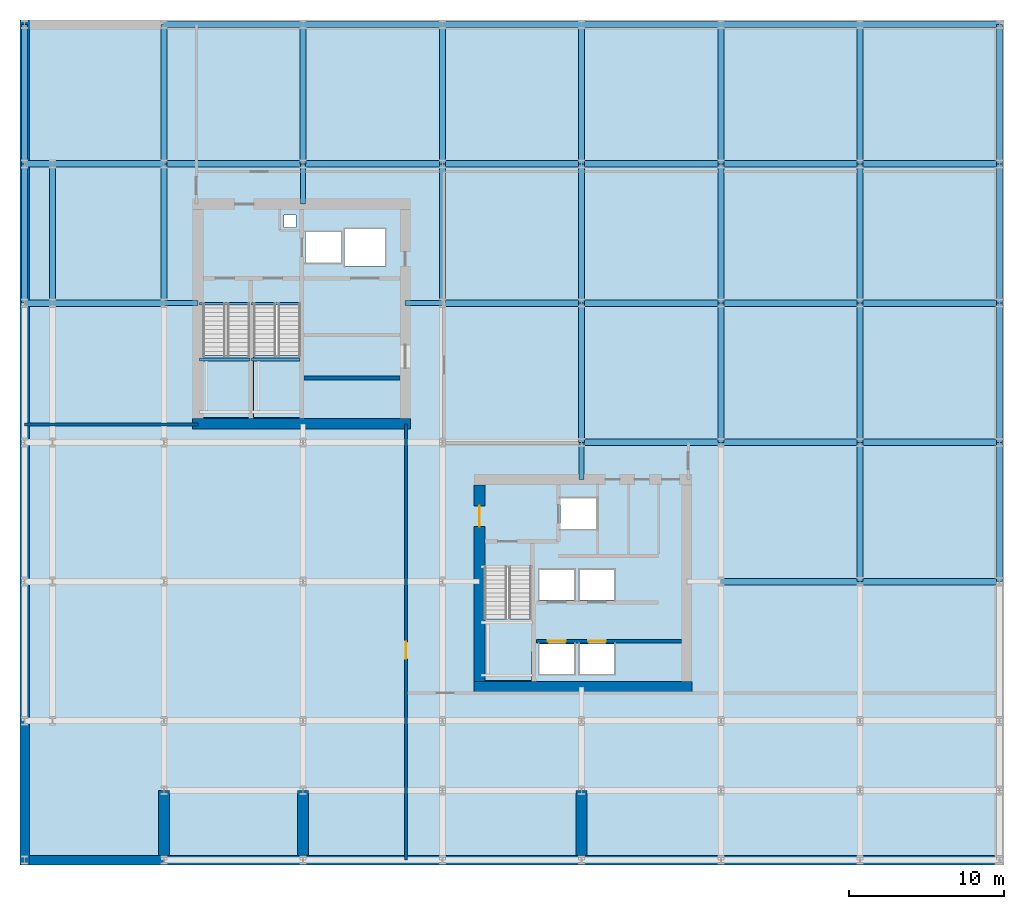
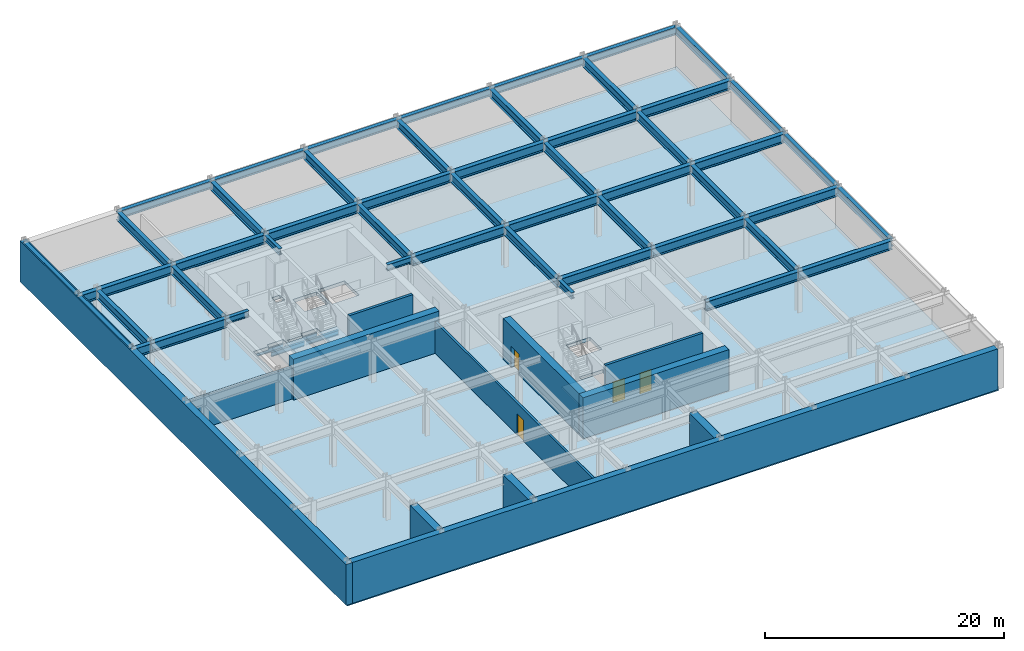
# One storey, part 2 of 6: 55 beams, 12 walls, 4 doors, 4 slabs, 4 openings, 3 elements without a shape of their own.
"""IFC4 building model written with IfcOpenShell, lengths in metres."""

from ifc_helpers import new_model, si_unit, direction, frame, frame_2d, origin, origin_2d, place, context, subcontext, project, spatial, polyline, rectangle, i_section, outline, extrude, material, layer, layer_set, material_profile, profile_set, type_object, element, fill, aggregate, save


model = new_model("IFC4")

# Units and contexts
model_context = context("Model", 3, precision=1e-05, world=origin(), true_north=direction((0.0, 1.0)))
body_context = subcontext(model_context, "Body", "Model", "MODEL_VIEW")
ifc_project = project(units=[si_unit("LENGTHUNIT", "METRE"), si_unit("AREAUNIT", "SQUARE_METRE"), si_unit("VOLUMEUNIT", "CUBIC_METRE"), si_unit("PLANEANGLEUNIT", "RADIAN"), si_unit("MASSUNIT", "GRAM", prefix="KILO")], contexts=[model_context])

# Site, building, storey
site_placement = place(None, origin())
site = spatial("IfcSite", under=ifc_project, at=site_placement, CompositionType="ELEMENT")
building_placement = place(site_placement, origin())
building = spatial("IfcBuilding", under=site, at=building_placement, Name="Solvaryn Broadcast Tower", CompositionType="ELEMENT")
storey_placement = place(building_placement, frame((0.0, 0.0, -4.5)))
storey = spatial("IfcBuildingStorey", under=building, at=storey_placement, Name="B01", CompositionType="ELEMENT", Elevation=-4.5)

# Beams
ifc_material_1 = material(Name="Steel ASTM A992 Grade 50", Category="steel")
ifc_material_profile_1 = material_profile(ifc_material_1, i_section(OverallWidth=0.323974609375, OverallDepth=0.611083984375, WebThickness=0.0126953125, FlangeThickness=0.01904296875, FilletRadius=0.014892578125, at=origin_2d()))
ifc_profile_set_1 = profile_set([ifc_material_profile_1], Name="Steel ASTM A992 Grade 50")
beam_type_1 = type_object("IfcBeamType", Name="BM-B1-W24X104", PredefinedType="BEAM", material=ifc_profile_set_1)
beam_1_placement = place(storey_placement, frame((9.0, 36.0, 3.87451171875), z_axis=(1.0, 0.0, 0.0), x_axis=(0.0, 1.0, 0.0)))
element("IfcBeam", 1, at=beam_1_placement, inside=storey, type_object=beam_type_1, Name="B01 Core Tie Beam CTW1", PredefinedType="BEAM", context=body_context, shape_type="SweptSolid", body=[
    extrude(i_section(OverallWidth=0.323974609375, OverallDepth=0.611083984375, WebThickness=0.0126953125, FlangeThickness=0.01904296875, FilletRadius=0.014892578125, at=origin_2d()), origin(), (0.0, 0.0, 1.0), 2.199951171875),
])
beam_2_placement = place(storey_placement, frame((24.60009765625, 36.0, 3.87451171875), z_axis=(1.0, 0.0, 0.0), x_axis=(0.0, 1.0, 0.0)))
element("IfcBeam", 2, at=beam_2_placement, inside=storey, type_object=beam_type_1, Name="B01 Core Tie Beam CTW2", PredefinedType="BEAM", context=body_context, shape_type="SweptSolid", body=[
    extrude(i_section(OverallWidth=0.323974609375, OverallDepth=0.611083984375, WebThickness=0.0126953125, FlangeThickness=0.01904296875, FilletRadius=0.014892578125, at=origin_2d()), origin(), (0.0, 0.0, 1.0), 2.39990234375),
])
beam_3_placement = place(storey_placement, frame((18.0, 42.39990234375, 3.87451171875), z_axis=(0.0, 1.0, 0.0), x_axis=(-1.0, 0.0, 0.0)))
element("IfcBeam", 3, at=beam_3_placement, inside=storey, type_object=beam_type_1, Name="B01 Core Tie Beam CTW3", PredefinedType="BEAM", context=body_context, shape_type="SweptSolid", body=[
    extrude(i_section(OverallWidth=0.323974609375, OverallDepth=0.611083984375, WebThickness=0.0126953125, FlangeThickness=0.01904296875, FilletRadius=0.014892578125, at=origin_2d()), origin(), (0.0, 0.0, 1.0), 2.60009765625),
])
beam_4_placement = place(storey_placement, frame((36.0, 24.60009765625, 3.87451171875), z_axis=(0.0, 1.0, 0.0), x_axis=(-1.0, 0.0, 0.0)))
element("IfcBeam", 4, at=beam_4_placement, inside=storey, type_object=beam_type_1, Name="B01 Core Tie Beam CTE2", PredefinedType="BEAM", context=body_context, shape_type="SweptSolid", body=[
    extrude(i_section(OverallWidth=0.323974609375, OverallDepth=0.611083984375, WebThickness=0.0126953125, FlangeThickness=0.01904296875, FilletRadius=0.014892578125, at=origin_2d()), origin(), (0.0, 0.0, 1.0), 2.39990234375),
])
ifc_material_2 = material(Name="Steel ASTM A992 Grade 50", Category="steel")
ifc_material_profile_2 = material_profile(ifc_material_2, i_section(OverallWidth=0.18994140625, OverallDepth=0.45703125, WebThickness=0.009033203125, FlangeThickness=0.014404296875, FilletRadius=0.011962890625, at=origin_2d()))
ifc_profile_set_2 = profile_set([ifc_material_profile_2], Name="Steel ASTM A992 Grade 50")
beam_type_2 = type_object("IfcBeamType", Name="BM-B4-W18X50", PredefinedType="BEAM", material=ifc_profile_set_2)
for number, where, z_axis, x_axis, name in (
    (5, (11.300048828125, 35.9599609375, -0.57861328125), (1.0, 0.0, 0.0), (0.0, 1.0, 0.0), "B01 ST1 Stair Well Trimmer Beam"),
    (6, (11.300048828125, 32.35009765625, 1.821533203125), (1.0, 0.0, 0.0), (0.0, 1.0, 0.0), "B01 ST1 Landing Support Beam 1B"),
):
    element("IfcBeam", number, at=place(storey_placement, frame(where, z_axis=z_axis, x_axis=x_axis)), inside=storey, type_object=beam_type_2, Name=name, PredefinedType="BEAM", context=body_context, shape_type="SweptSolid", body=[
        extrude(i_section(OverallWidth=0.18994140625, OverallDepth=0.45703125, WebThickness=0.009033203125, FlangeThickness=0.014404296875, FilletRadius=0.011962890625, at=origin_2d()), origin(), (0.0, 0.0, 1.0), 3.280029296875),
    ])
for number, where, z_axis, x_axis, name in (
    (7, (14.659912109375, 35.9599609375, -0.57861328125), (1.0, 0.0, 0.0), (0.0, 1.0, 0.0), "B01 ST2 Stair Well Trimmer Beam"),
    (8, (14.659912109375, 32.35009765625, 1.821533203125), (1.0, 0.0, 0.0), (0.0, 1.0, 0.0), "B01 ST2 Landing Support Beam 1B"),
):
    element("IfcBeam", number, at=place(storey_placement, frame(where, z_axis=z_axis, x_axis=x_axis)), inside=storey, type_object=beam_type_2, Name=name, PredefinedType="BEAM", context=body_context, shape_type="SweptSolid", body=[
        extrude(i_section(OverallWidth=0.18994140625, OverallDepth=0.45703125, WebThickness=0.009033203125, FlangeThickness=0.014404296875, FilletRadius=0.011962890625, at=origin_2d()), origin(), (0.0, 0.0, 1.0), 3.14013671875),
    ])
ifc_material_3 = material(Name="Steel ASTM A992 Grade 50", Category="steel")
ifc_material_profile_3 = material_profile(ifc_material_3, i_section(OverallWidth=0.41796875, OverallDepth=0.927001953125, WebThickness=0.019287109375, FlangeThickness=0.031982421875, FilletRadius=0.02392578125, at=origin_2d()))
ifc_profile_set_3 = profile_set([ifc_material_profile_3], Name="Steel ASTM A992 Grade 50")
beam_type_3 = type_object("IfcBeamType", Name="BM-G2-W36X231", PredefinedType="BEAM", material=ifc_profile_set_3)
for number, where, z_axis, x_axis, name in (
    (9, (45.0, 18.0, 3.716552734375), (1.0, 0.0, 0.0), (0.0, 1.0, 0.0), "B01 Primary Beam X (45-54 @ Y=18)"),
    (10, (54.0, 18.0, 3.716552734375), (1.0, 0.0, 0.0), (0.0, 1.0, 0.0), "B01 Primary Beam X (54-63 @ Y=18)"),
    (11, (36.0, 27.0, 3.716552734375), (1.0, 0.0, 0.0), (0.0, 1.0, 0.0), "B01 Primary Beam X (36-45 @ Y=27)"),
    (12, (45.0, 27.0, 3.716552734375), (1.0, 0.0, 0.0), (0.0, 1.0, 0.0), "B01 Primary Beam X (45-54 @ Y=27)"),
    (13, (54.0, 27.0, 3.716552734375), (1.0, 0.0, 0.0), (0.0, 1.0, 0.0), "B01 Primary Beam X (54-63 @ Y=27)"),
):
    element("IfcBeam", number, at=place(storey_placement, frame(where, z_axis=z_axis, x_axis=x_axis)), inside=storey, type_object=beam_type_3, Name=name, PredefinedType="BEAM", context=body_context, shape_type="SweptSolid", body=[
        extrude(i_section(OverallWidth=0.41796875, OverallDepth=0.927001953125, WebThickness=0.019287109375, FlangeThickness=0.031982421875, FilletRadius=0.02392578125, at=origin_2d()), origin(), (0.0, 0.0, 1.0), 9.0),
    ])
beam_5_placement = place(storey_placement, frame((0.0, 36.0, 3.716552734375), z_axis=(1.0, 0.0, 0.0), x_axis=(0.0, 1.0, 0.0)))
element("IfcBeam", 14, at=beam_5_placement, inside=storey, type_object=beam_type_3, Name="B01 Primary Beam X (0-2 @ Y=36)", PredefinedType="BEAM", context=body_context, shape_type="SweptSolid", body=[
    extrude(i_section(OverallWidth=0.41796875, OverallDepth=0.927001953125, WebThickness=0.019287109375, FlangeThickness=0.031982421875, FilletRadius=0.02392578125, at=origin_2d()), origin(), (0.0, 0.0, 1.0), 1.800048828125),
])
beam_6_placement = place(storey_placement, frame((1.800048828125, 36.0, 3.716552734375), z_axis=(1.0, 0.0, 0.0), x_axis=(0.0, 1.0, 0.0)))
element("IfcBeam", 15, at=beam_6_placement, inside=storey, type_object=beam_type_3, Name="B01 Primary Beam X (2-9 @ Y=36)", PredefinedType="BEAM", context=body_context, shape_type="SweptSolid", body=[
    extrude(i_section(OverallWidth=0.41796875, OverallDepth=0.927001953125, WebThickness=0.019287109375, FlangeThickness=0.031982421875, FilletRadius=0.02392578125, at=origin_2d()), origin(), (0.0, 0.0, 1.0), 7.199951171875),
])
for number, where, z_axis, x_axis, name in (
    (16, (27.0, 36.0, 3.716552734375), (1.0, 0.0, 0.0), (0.0, 1.0, 0.0), "B01 Primary Beam X (27-36 @ Y=36)"),
    (17, (36.0, 36.0, 3.716552734375), (1.0, 0.0, 0.0), (0.0, 1.0, 0.0), "B01 Primary Beam X (36-45 @ Y=36)"),
    (18, (45.0, 36.0, 3.716552734375), (1.0, 0.0, 0.0), (0.0, 1.0, 0.0), "B01 Primary Beam X (45-54 @ Y=36)"),
    (19, (54.0, 36.0, 3.716552734375), (1.0, 0.0, 0.0), (0.0, 1.0, 0.0), "B01 Primary Beam X (54-63 @ Y=36)"),
):
    element("IfcBeam", number, at=place(storey_placement, frame(where, z_axis=z_axis, x_axis=x_axis)), inside=storey, type_object=beam_type_3, Name=name, PredefinedType="BEAM", context=body_context, shape_type="SweptSolid", body=[
        extrude(i_section(OverallWidth=0.41796875, OverallDepth=0.927001953125, WebThickness=0.019287109375, FlangeThickness=0.031982421875, FilletRadius=0.02392578125, at=origin_2d()), origin(), (0.0, 0.0, 1.0), 9.0),
    ])
beam_7_placement = place(storey_placement, frame((0.0, 45.0, 3.716552734375), z_axis=(1.0, 0.0, 0.0), x_axis=(0.0, 1.0, 0.0)))
element("IfcBeam", 20, at=beam_7_placement, inside=storey, type_object=beam_type_3, Name="B01 Primary Beam X (0-2 @ Y=45)", PredefinedType="BEAM", context=body_context, shape_type="SweptSolid", body=[
    extrude(i_section(OverallWidth=0.41796875, OverallDepth=0.927001953125, WebThickness=0.019287109375, FlangeThickness=0.031982421875, FilletRadius=0.02392578125, at=origin_2d()), origin(), (0.0, 0.0, 1.0), 1.800048828125),
])
beam_8_placement = place(storey_placement, frame((1.800048828125, 45.0, 3.716552734375), z_axis=(1.0, 0.0, 0.0), x_axis=(0.0, 1.0, 0.0)))
element("IfcBeam", 21, at=beam_8_placement, inside=storey, type_object=beam_type_3, Name="B01 Primary Beam X (2-9 @ Y=45)", PredefinedType="BEAM", context=body_context, shape_type="SweptSolid", body=[
    extrude(i_section(OverallWidth=0.41796875, OverallDepth=0.927001953125, WebThickness=0.019287109375, FlangeThickness=0.031982421875, FilletRadius=0.02392578125, at=origin_2d()), origin(), (0.0, 0.0, 1.0), 7.199951171875),
])
for number, where, z_axis, x_axis, name in (
    (22, (9.0, 45.0, 3.716552734375), (1.0, 0.0, 0.0), (0.0, 1.0, 0.0), "B01 Primary Beam X (9-18 @ Y=45)"),
    (23, (18.0, 45.0, 3.716552734375), (1.0, 0.0, 0.0), (0.0, 1.0, 0.0), "B01 Primary Beam X (18-27 @ Y=45)"),
    (24, (27.0, 45.0, 3.716552734375), (1.0, 0.0, 0.0), (0.0, 1.0, 0.0), "B01 Primary Beam X (27-36 @ Y=45)"),
    (25, (36.0, 45.0, 3.716552734375), (1.0, 0.0, 0.0), (0.0, 1.0, 0.0), "B01 Primary Beam X (36-45 @ Y=45)"),
    (26, (45.0, 45.0, 3.716552734375), (1.0, 0.0, 0.0), (0.0, 1.0, 0.0), "B01 Primary Beam X (45-54 @ Y=45)"),
    (27, (54.0, 45.0, 3.716552734375), (1.0, 0.0, 0.0), (0.0, 1.0, 0.0), "B01 Primary Beam X (54-63 @ Y=45)"),
):
    element("IfcBeam", number, at=place(storey_placement, frame(where, z_axis=z_axis, x_axis=x_axis)), inside=storey, type_object=beam_type_3, Name=name, PredefinedType="BEAM", context=body_context, shape_type="SweptSolid", body=[
        extrude(i_section(OverallWidth=0.41796875, OverallDepth=0.927001953125, WebThickness=0.019287109375, FlangeThickness=0.031982421875, FilletRadius=0.02392578125, at=origin_2d()), origin(), (0.0, 0.0, 1.0), 9.0),
    ])
ifc_material_4 = material(Name="Steel ASTM A992 Grade 50", Category="steel")
ifc_material_profile_4 = material_profile(ifc_material_4, i_section(OverallWidth=0.39990234375, OverallDepth=0.85498046875, WebThickness=0.018310546875, FlangeThickness=0.029296875, FilletRadius=0.02001953125, at=origin_2d()))
ifc_profile_set_4 = profile_set([ifc_material_profile_4], Name="Steel ASTM A992 Grade 50")
beam_type_4 = type_object("IfcBeamType", Name="BM-G3-W33X201", PredefinedType="BEAM", material=ifc_profile_set_4)
for number, where, z_axis, x_axis, name in (
    (28, (1.800048828125, 36.0, 3.75244140625), (0.0, 1.0, 0.0), (-1.0, 0.0, 0.0), "B01 Primary Beam Y (36-45 @ X=2)"),
    (29, (9.0, 36.0, 3.75244140625), (0.0, 1.0, 0.0), (-1.0, 0.0, 0.0), "B01 Primary Beam Y (36-45 @ X=9)"),
    (30, (9.0, 45.0, 3.75244140625), (0.0, 1.0, 0.0), (-1.0, 0.0, 0.0), "B01 Primary Beam Y (45-54 @ X=9)"),
    (31, (18.0, 45.0, 3.75244140625), (0.0, 1.0, 0.0), (-1.0, 0.0, 0.0), "B01 Primary Beam Y (45-54 @ X=18)"),
    (32, (27.0, 36.0, 3.75244140625), (0.0, 1.0, 0.0), (-1.0, 0.0, 0.0), "B01 Primary Beam Y (36-45 @ X=27)"),
    (33, (27.0, 45.0, 3.75244140625), (0.0, 1.0, 0.0), (-1.0, 0.0, 0.0), "B01 Primary Beam Y (45-54 @ X=27)"),
    (34, (36.0, 27.0, 3.75244140625), (0.0, 1.0, 0.0), (-1.0, 0.0, 0.0), "B01 Primary Beam Y (27-36 @ X=36)"),
    (35, (36.0, 36.0, 3.75244140625), (0.0, 1.0, 0.0), (-1.0, 0.0, 0.0), "B01 Primary Beam Y (36-45 @ X=36)"),
    (36, (36.0, 45.0, 3.75244140625), (0.0, 1.0, 0.0), (-1.0, 0.0, 0.0), "B01 Primary Beam Y (45-54 @ X=36)"),
    (37, (45.0, 27.0, 3.75244140625), (0.0, 1.0, 0.0), (-1.0, 0.0, 0.0), "B01 Primary Beam Y (27-36 @ X=45)"),
    (38, (45.0, 36.0, 3.75244140625), (0.0, 1.0, 0.0), (-1.0, 0.0, 0.0), "B01 Primary Beam Y (36-45 @ X=45)"),
    (39, (45.0, 45.0, 3.75244140625), (0.0, 1.0, 0.0), (-1.0, 0.0, 0.0), "B01 Primary Beam Y (45-54 @ X=45)"),
    (40, (54.0, 18.0, 3.75244140625), (0.0, 1.0, 0.0), (-1.0, 0.0, 0.0), "B01 Primary Beam Y (18-27 @ X=54)"),
    (41, (54.0, 27.0, 3.75244140625), (0.0, 1.0, 0.0), (-1.0, 0.0, 0.0), "B01 Primary Beam Y (27-36 @ X=54)"),
    (42, (54.0, 36.0, 3.75244140625), (0.0, 1.0, 0.0), (-1.0, 0.0, 0.0), "B01 Primary Beam Y (36-45 @ X=54)"),
    (43, (54.0, 45.0, 3.75244140625), (0.0, 1.0, 0.0), (-1.0, 0.0, 0.0), "B01 Primary Beam Y (45-54 @ X=54)"),
):
    element("IfcBeam", number, at=place(storey_placement, frame(where, z_axis=z_axis, x_axis=x_axis)), inside=storey, type_object=beam_type_4, Name=name, PredefinedType="BEAM", context=body_context, shape_type="SweptSolid", body=[
        extrude(i_section(OverallWidth=0.39990234375, OverallDepth=0.85498046875, WebThickness=0.018310546875, FlangeThickness=0.029296875, FilletRadius=0.02001953125, at=origin_2d()), origin(), (0.0, 0.0, 1.0), 9.0),
    ])
ifc_material_5 = material(Name="Steel ASTM A992 Grade 50", Category="steel")
ifc_material_profile_5 = material_profile(ifc_material_5, i_section(OverallWidth=0.381103515625, OverallDepth=0.77294921875, WebThickness=0.0166015625, FlangeThickness=0.027099609375, FilletRadius=0.01806640625, at=origin_2d()))
ifc_profile_set_5 = profile_set([ifc_material_profile_5], Name="Steel ASTM A992 Grade 50")
beam_type_5 = type_object("IfcBeamType", Name="BM-SP1-W30X173", PredefinedType="USERDEFINED", material=ifc_profile_set_5)
for number, where, z_axis, x_axis, name in (
    (44, (9.0, 54.0, 3.79345703125), (1.0, 0.0, 0.0), (0.0, 1.0, 0.0), "B01 Spandrel Beam X (9-18 @ Y=54)"),
    (45, (18.0, 54.0, 3.79345703125), (1.0, 0.0, 0.0), (0.0, 1.0, 0.0), "B01 Spandrel Beam X (18-27 @ Y=54)"),
    (46, (27.0, 54.0, 3.79345703125), (1.0, 0.0, 0.0), (0.0, 1.0, 0.0), "B01 Spandrel Beam X (27-36 @ Y=54)"),
    (47, (36.0, 54.0, 3.79345703125), (1.0, 0.0, 0.0), (0.0, 1.0, 0.0), "B01 Spandrel Beam X (36-45 @ Y=54)"),
    (48, (45.0, 54.0, 3.79345703125), (1.0, 0.0, 0.0), (0.0, 1.0, 0.0), "B01 Spandrel Beam X (45-54 @ Y=54)"),
    (49, (54.0, 54.0, 3.79345703125), (1.0, 0.0, 0.0), (0.0, 1.0, 0.0), "B01 Spandrel Beam X (54-63 @ Y=54)"),
    (50, (0.0, 36.0, 3.79345703125), (0.0, 1.0, 0.0), (-1.0, 0.0, 0.0), "B01 Spandrel Beam Y (36-45 @ X=0)"),
    (51, (0.0, 45.0, 3.79345703125), (0.0, 1.0, 0.0), (-1.0, 0.0, 0.0), "B01 Spandrel Beam Y (45-54 @ X=0)"),
    (52, (63.0, 18.0, 3.79345703125), (0.0, 1.0, 0.0), (-1.0, 0.0, 0.0), "B01 Spandrel Beam Y (18-27 @ X=63)"),
    (53, (63.0, 27.0, 3.79345703125), (0.0, 1.0, 0.0), (-1.0, 0.0, 0.0), "B01 Spandrel Beam Y (27-36 @ X=63)"),
    (54, (63.0, 36.0, 3.79345703125), (0.0, 1.0, 0.0), (-1.0, 0.0, 0.0), "B01 Spandrel Beam Y (36-45 @ X=63)"),
    (55, (63.0, 45.0, 3.79345703125), (0.0, 1.0, 0.0), (-1.0, 0.0, 0.0), "B01 Spandrel Beam Y (45-54 @ X=63)"),
):
    element("IfcBeam", number, at=place(storey_placement, frame(where, z_axis=z_axis, x_axis=x_axis)), inside=storey, type_object=beam_type_5, Name=name, ObjectType="SPANDREL", PredefinedType="USERDEFINED", context=body_context, shape_type="SweptSolid", body=[
        extrude(i_section(OverallWidth=0.381103515625, OverallDepth=0.77294921875, WebThickness=0.0166015625, FlangeThickness=0.027099609375, FilletRadius=0.01806640625, at=origin_2d()), origin(), (0.0, 0.0, 1.0), 9.0),
    ])

# Slab
ifc_material_6 = material(Name="Concrete f'c 60 MPa", Category="concrete")
ifc_layer_1 = layer(ifc_material_6, 0.35009765625)
ifc_layer_set_1 = layer_set([ifc_layer_1], Name="SL-BSMT-350")
slab_type_1 = type_object("IfcSlabType", Name="SL-BSMT-350", PredefinedType="FLOOR", material=ifc_layer_set_1)
slab_1_placement = place(storey_placement, frame((0.0, 0.0, -0.35009765625)))
element("IfcSlab", 56, at=slab_1_placement, inside=storey, type_object=slab_type_1, Name="B01 Structural Floor Slab", PredefinedType="FLOOR", context=body_context, shape_type="SweptSolid", body=[
    extrude(outline(polyline([(0.0, 0.0), (63.0, 0.0), (63.0, 54.0), (0.0, 54.0), (0.0, 0.0)]), holes=[polyline([(11.52001953125, 28.60009765625), (14.550048828125, 28.60009765625), (14.550048828125, 35.9599609375), (12.97998046875, 35.9599609375), (12.97998046875, 35.679931640625), (11.52001953125, 35.679931640625), (11.52001953125, 28.60009765625)]), polyline([(14.800048828125, 28.60009765625), (17.830078125, 28.60009765625), (17.830078125, 35.9599609375), (16.260009765625, 35.9599609375), (16.260009765625, 35.679931640625), (14.800048828125, 35.679931640625), (14.800048828125, 28.60009765625)]), polyline([(29.719970703125, 11.60009765625), (32.75, 11.60009765625), (32.75, 18.9599609375), (31.179931640625, 18.9599609375), (31.179931640625, 18.679931640625), (29.719970703125, 18.679931640625), (29.719970703125, 11.60009765625)]), polyline([(18.14990234375, 38.60009765625), (20.449951171875, 38.60009765625), (20.449951171875, 40.60009765625), (18.14990234375, 40.60009765625), (18.14990234375, 38.60009765625)]), polyline([(20.699951171875, 38.39990234375), (23.300048828125, 38.39990234375), (23.300048828125, 40.800048828125), (20.699951171875, 40.800048828125), (20.699951171875, 38.39990234375)]), polyline([(34.64990234375, 21.39990234375), (36.949951171875, 21.39990234375), (36.949951171875, 23.39990234375), (34.64990234375, 23.39990234375), (34.64990234375, 21.39990234375)]), polyline([(33.27490234375, 12.02490234375), (35.52490234375, 12.02490234375), (35.52490234375, 13.97509765625), (33.27490234375, 13.97509765625), (33.27490234375, 12.02490234375)]), polyline([(35.875, 12.02490234375), (38.125, 12.02490234375), (38.125, 13.97509765625), (35.875, 13.97509765625), (35.875, 12.02490234375)]), polyline([(33.27490234375, 16.824951171875), (35.52490234375, 16.824951171875), (35.52490234375, 18.77490234375), (33.27490234375, 18.77490234375), (33.27490234375, 16.824951171875)]), polyline([(35.875, 16.824951171875), (38.125, 16.824951171875), (38.125, 18.77490234375), (35.875, 18.77490234375), (35.875, 16.824951171875)]), polyline([(16.75, 40.89990234375), (17.550048828125, 40.89990234375), (17.550048828125, 41.699951171875), (16.75, 41.699951171875), (16.75, 40.89990234375)])]), origin(), (0.0, 0.0, 1.0), 0.35009765625),
])

# Stair, slab
ifc_material_7 = material(Name="Concrete f'c 60 MPa", Category="concrete")
stair_type = type_object("IfcStairType", Name="ST-CORE", PredefinedType="HALF_TURN_STAIR", material=ifc_material_7)
stair_1_placement = place(storey_placement, origin())
stair_1 = element("IfcStair", 57, at=stair_1_placement, inside=storey, type_object=stair_type, Name="B01 ST1", PredefinedType="HALF_TURN_STAIR")
ifc_material_8 = material(Name="Concrete f'c 60 MPa", Category="concrete")
ifc_layer_2 = layer(ifc_material_8, 0.199951171875)
ifc_layer_set_2 = layer_set([ifc_layer_2], Name="SL-LANDING-200")
slab_type_2 = type_object("IfcSlabType", Name="SL-LANDING-200", PredefinedType="LANDING", material=ifc_layer_set_2)
slab_2_placement = place(storey_placement, frame((0.0, 0.0, 2.050048828125)))
slab_2 = element("IfcSlab", 58, at=slab_2_placement, type_object=slab_type_2, Name="ST1 landing 1", PredefinedType="LANDING", context=body_context, shape_type="SweptSolid", body=[
    extrude(outline(polyline([(11.52001953125, 32.60009765625), (11.52001953125, 28.60009765625), (14.550048828125, 28.60009765625), (14.550048828125, 32.60009765625), (11.52001953125, 32.60009765625)])), origin(), (0.0, 0.0, 1.0), 0.199951171875),
])
aggregate(stair_1, [slab_2])

stair_2_placement = place(storey_placement, origin())
stair_2 = element("IfcStair", 59, at=stair_2_placement, inside=storey, type_object=stair_type, Name="B01 ST2", PredefinedType="HALF_TURN_STAIR")
slab_3_placement = place(storey_placement, frame((0.0, 0.0, 2.050048828125)))
slab_3 = element("IfcSlab", 60, at=slab_3_placement, type_object=slab_type_2, Name="ST2 landing 1", PredefinedType="LANDING", context=body_context, shape_type="SweptSolid", body=[
    extrude(outline(polyline([(14.800048828125, 32.60009765625), (14.800048828125, 28.60009765625), (17.830078125, 28.60009765625), (17.830078125, 32.60009765625), (14.800048828125, 32.60009765625)])), origin(), (0.0, 0.0, 1.0), 0.199951171875),
])
aggregate(stair_2, [slab_3])

stair_3_placement = place(storey_placement, origin())
stair_3 = element("IfcStair", 61, at=stair_3_placement, inside=storey, type_object=stair_type, Name="B01 ST3", PredefinedType="HALF_TURN_STAIR")
slab_4_placement = place(storey_placement, frame((0.0, 0.0, 2.050048828125)))
slab_4 = element("IfcSlab", 62, at=slab_4_placement, type_object=slab_type_2, Name="ST3 landing 1", PredefinedType="LANDING", context=body_context, shape_type="SweptSolid", body=[
    extrude(outline(polyline([(29.719970703125, 15.60009765625), (29.719970703125, 11.60009765625), (32.75, 11.60009765625), (32.75, 15.60009765625), (29.719970703125, 15.60009765625)])), origin(), (0.0, 0.0, 1.0), 0.199951171875),
])
aggregate(stair_3, [slab_4])

# Walls
ifc_material_9 = material(Name="Concrete f'c 70 MPa", Category="concrete")
ifc_layer_3 = layer(ifc_material_9, 0.699951171875)
ifc_layer_set_3 = layer_set([ifc_layer_3], Name="CW-SHEAR-700")
wall_type_1 = type_object("IfcWallType", Name="CW-SHEAR-700", PredefinedType="SHEAR", material=ifc_layer_set_3)
for number, where, z_axis, x_axis, name in (
    (63, (9.0, 0.300048828125, 0.0), (0.0, 0.0, 1.0), (0.0, 1.0, 0.0), "B01 Basement Shear Buttress 1"),
    (64, (18.0, 0.300048828125, 0.0), (0.0, 0.0, 1.0), (0.0, 1.0, 0.0), "B01 Basement Shear Buttress 2"),
    (65, (36.0, 0.300048828125, 0.0), (0.0, 0.0, 1.0), (0.0, 1.0, 0.0), "B01 Basement Shear Buttress 3"),
):
    element("IfcWall", number, at=place(storey_placement, frame(where, z_axis=z_axis, x_axis=x_axis)), inside=storey, type_object=wall_type_1, Name=name, PredefinedType="SHEAR", context=body_context, shape_type="SweptSolid", body=[
        extrude(rectangle(XDim=4.199951171875, YDim=0.699951171875, at=frame_2d((2.10009765625, 0.0))), origin(), (0.0, 0.0, 1.0), 4.179931640625),
    ])
for number, where, z_axis, x_axis, name in (
    (66, (10.85009765625, 28.199951171875, 0.0), (0.0, 0.0, 1.0), (1.0, 0.0, 0.0), "B01 West Core South Shear Wall"),
    (67, (29.050048828125, 11.199951171875, 0.0), (0.0, 0.0, 1.0), (1.0, 0.0, 0.0), "B01 East Core South Shear Wall"),
):
    element("IfcWall", number, at=place(storey_placement, frame(where, z_axis=z_axis, x_axis=x_axis)), inside=storey, type_object=wall_type_1, Name=name, PredefinedType="SHEAR", context=body_context, shape_type="SweptSolid", body=[
        extrude(rectangle(XDim=14.099853515625, YDim=0.699951171875, at=frame_2d((7.0498046875, 0.0))), origin(), (0.0, 0.0, 1.0), 4.179931640625),
    ])

# Wall, opening, door
wall_1_placement = place(storey_placement, frame((29.39990234375, 24.25, 0.0), z_axis=(0.0, 0.0, 1.0), x_axis=(0.0, -1.0, 0.0)))
wall_1 = element("IfcWall", 68, at=wall_1_placement, inside=storey, type_object=wall_type_1, Name="B01 East Core West Shear Wall", PredefinedType="SHEAR", context=body_context, shape_type="SweptSolid", body=[
    extrude(rectangle(XDim=12.699951171875, YDim=0.699951171875, at=frame_2d((6.35009765625, 0.0))), origin(), (0.0, 0.0, 1.0), 4.179931640625),
])
opening_1_placement = place(wall_1_placement, frame((1.35009765625, 0.0, 0.0)))
opening_1 = element("IfcOpeningElement", 69, at=opening_1_placement, cuts=wall_1, Name="Opening FD90B", PredefinedType="OPENING", context=body_context, shape_type="SweptSolid", body=[
    extrude(rectangle(XDim=1.35009765625, YDim=2.14990234375, at=frame_2d((0.675048828125, 1.074951171875))), frame((0.0, 0.360107421875, 0.0), z_axis=(0.0, -1.0, 0.0), x_axis=(1.0, 0.0, 0.0)), (0.0, 0.0, 1.0), 0.719970703125),
])
ifc_material_10 = material(Name="Flush Acoustic Steel and Timber Door Assembly", Category="steel")
door_type_1 = type_object("IfcDoorType", Name="FD90-LOBBY-1350X2150", OperationType="NOTDEFINED", PredefinedType="DOOR", material=ifc_material_10)
door_1_placement = place(opening_1_placement, origin())
door_1 = element("IfcDoor", 70, at=door_1_placement, inside=storey, type_object=door_type_1, Name="B01 East FSAE Lobby Door", OperationType="SINGLE_SWING_RIGHT", OverallHeight=2.14990234375, OverallWidth=1.35009765625, PredefinedType="DOOR", context=body_context, shape_type="SweptSolid", body=[
    extrude(rectangle(XDim=1.35009765625, YDim=2.14990234375, at=frame_2d((0.675048828125, 1.074951171875))), frame((0.0, 0.02490234375, 0.0), z_axis=(0.0, -1.0, 0.0), x_axis=(1.0, 0.0, 0.0)), (0.0, 0.0, 1.0), 0.050048828125),
])
fill(opening_1, door_1)

# Walls
ifc_material_11 = material(Name="Concrete f'c 60 MPa", Category="concrete")
ifc_layer_4 = layer(ifc_material_11, 0.60009765625)
ifc_layer_set_4 = layer_set([ifc_layer_4], Name="EW-BSMT-600")
wall_type_2 = type_object("IfcWallType", Name="EW-BSMT-600", PredefinedType="SOLIDWALL", material=ifc_layer_set_4)
wall_2_placement = place(storey_placement, frame((0.0, -0.300048828125, 0.0), z_axis=(0.0, 0.0, 1.0), x_axis=(0.0, 1.0, 0.0)))
element("IfcWall", 71, at=wall_2_placement, inside=storey, type_object=wall_type_2, Name="B01 Perimeter Retaining Wall W", PredefinedType="SOLIDWALL", context=body_context, shape_type="SweptSolid", body=[
    extrude(rectangle(XDim=54.60009765625, YDim=0.60009765625, at=frame_2d((27.300048828125, 0.0))), origin(), (0.0, 0.0, 1.0), 4.179931640625),
])
wall_3_placement = place(storey_placement, frame((62.699951171875, 0.0, 0.0), z_axis=(0.0, 0.0, 1.0), x_axis=(-1.0, 0.0, 0.0)))
element("IfcWall", 72, at=wall_3_placement, inside=storey, type_object=wall_type_2, Name="B01 Perimeter Retaining Wall S", PredefinedType="SOLIDWALL", context=body_context, shape_type="SweptSolid", body=[
    extrude(rectangle(XDim=62.39990234375, YDim=0.60009765625, at=frame_2d((31.199951171875, 0.0))), origin(), (0.0, 0.0, 1.0), 4.179931640625),
])

# Wall, opening, door
ifc_material_12 = material(Name="Gypsum Fire-Rated Shaftwall Assembly", Category="concrete")
ifc_layer_5 = layer(ifc_material_12, 0.199951171875)
ifc_layer_set_5 = layer_set([ifc_layer_5], Name="IW-RATED-200")
wall_type_3 = type_object("IfcWallType", Name="IW-RATED-200", PredefinedType="PARTITIONING", material=ifc_layer_set_5)
wall_4_placement = place(storey_placement, frame((24.64990234375, 0.0, 0.0), z_axis=(0.0, 0.0, 1.0), x_axis=(0.0, 1.0, 0.0)))
wall_4 = element("IfcWall", 73, at=wall_4_placement, inside=storey, type_object=wall_type_3, Name="B01 Interior Partition IW-B01-BW1", PredefinedType="PARTITIONING", context=body_context, shape_type="SweptSolid", body=[
    extrude(rectangle(XDim=28.199951171875, YDim=0.199951171875, at=frame_2d((14.10009765625, 0.0))), origin(), (0.0, 0.0, 1.0), 3.23291015625),
])
opening_2_placement = place(wall_4_placement, frame((13.0, 0.0, 0.0)))
opening_2 = element("IfcOpeningElement", 74, at=opening_2_placement, cuts=wall_4, Name="Opening FD90C", PredefinedType="OPENING", context=body_context, shape_type="SweptSolid", body=[
    extrude(rectangle(XDim=1.10009765625, YDim=2.14990234375, at=frame_2d((0.550048828125, 1.074951171875))), frame((0.0, 0.110107421875, 0.0), z_axis=(0.0, -1.0, 0.0), x_axis=(1.0, 0.0, 0.0)), (0.0, 0.0, 1.0), 0.219970703125),
])
ifc_material_13 = material(Name="Flush Acoustic Steel and Timber Door Assembly", Category="steel")
door_type_2 = type_object("IfcDoorType", Name="FD90-PLANT-1100X2150", OperationType="NOTDEFINED", PredefinedType="DOOR", material=ifc_material_13)
door_2_placement = place(opening_2_placement, origin())
door_2 = element("IfcDoor", 75, at=door_2_placement, inside=storey, type_object=door_type_2, Name="B01 Door DR-B01-BD1", OperationType="SINGLE_SWING_RIGHT", OverallHeight=2.14990234375, OverallWidth=1.10009765625, PredefinedType="DOOR", context=body_context, shape_type="SweptSolid", body=[
    extrude(rectangle(XDim=1.10009765625, YDim=2.14990234375, at=frame_2d((0.550048828125, 1.074951171875))), frame((0.0, 0.02490234375, 0.0), z_axis=(0.0, -1.0, 0.0), x_axis=(1.0, 0.0, 0.0)), (0.0, 0.0, 1.0), 0.050048828125),
])
fill(opening_2, door_2)

# Walls
wall_5_placement = place(storey_placement, frame((0.0, 28.14990234375, 0.0), z_axis=(0.0, 0.0, 1.0), x_axis=(1.0, 0.0, 0.0)))
element("IfcWall", 76, at=wall_5_placement, inside=storey, type_object=wall_type_3, Name="B01 Interior Partition IW-B01-BW2", PredefinedType="PARTITIONING", context=body_context, shape_type="SweptSolid", body=[
    extrude(rectangle(XDim=11.199951171875, YDim=0.199951171875, at=frame_2d((5.60009765625, 0.0))), origin(), (0.0, 0.0, 1.0), 3.304931640625),
])
ifc_material_14 = material(Name="Concrete f'c 60 MPa", Category="concrete")
ifc_layer_6 = layer(ifc_material_14, 0.25)
ifc_layer_set_6 = layer_set([ifc_layer_6], Name="SW-SHAFT-250")
wall_type_4 = type_object("IfcWallType", Name="SW-SHAFT-250", PredefinedType="PARTITIONING", material=ifc_layer_set_6)
wall_6_placement = place(storey_placement, frame((18.070068359375, 31.14990234375, 0.0), z_axis=(0.0, 0.0, 1.0), x_axis=(1.0, 0.0, 0.0)))
element("IfcWall", 77, at=wall_6_placement, inside=storey, type_object=wall_type_4, Name="B01 High-Rise Lift Bank South Wall", PredefinedType="PARTITIONING", context=body_context, shape_type="SweptSolid", body=[
    extrude(rectangle(XDim=6.179931640625, YDim=0.25, at=frame_2d((3.08984375, 0.0))), origin(), (0.0, 0.0, 1.0), 4.179931640625),
])

# Wall, openings, doors
wall_7_placement = place(storey_placement, frame((33.070068359375, 14.14990234375, 0.0), z_axis=(0.0, 0.0, 1.0), x_axis=(1.0, 0.0, 0.0)))
wall_7 = element("IfcWall", 78, at=wall_7_placement, inside=storey, type_object=wall_type_4, Name="B01 East Lift Bank South Wall", PredefinedType="PARTITIONING", context=body_context, shape_type="SweptSolid", body=[
    extrude(rectangle(XDim=9.3798828125, YDim=0.25, at=frame_2d((4.68994140625, 0.0))), origin(), (0.0, 0.0, 1.0), 4.179931640625),
])
opening_3_placement = place(wall_7_placement, frame((0.7548828125, 0.0, 0.0)))
opening_3 = element("IfcOpeningElement", 79, at=opening_3_placement, cuts=wall_7, Name="Opening LD01", PredefinedType="OPENING", context=body_context, shape_type="SweptSolid", body=[
    extrude(rectangle(XDim=1.14990234375, YDim=2.14990234375, at=frame_2d((0.574951171875, 1.074951171875))), frame((0.0, 0.135009765625, 0.0), z_axis=(0.0, -1.0, 0.0), x_axis=(1.0, 0.0, 0.0)), (0.0, 0.0, 1.0), 0.27001953125),
])
opening_4_placement = place(wall_7_placement, frame((3.35498046875, 0.0, 0.0)))
opening_4 = element("IfcOpeningElement", 80, at=opening_4_placement, cuts=wall_7, Name="Opening LD01", PredefinedType="OPENING", context=body_context, shape_type="SweptSolid", body=[
    extrude(rectangle(XDim=1.14990234375, YDim=2.14990234375, at=frame_2d((0.574951171875, 1.074951171875))), frame((0.0, 0.135009765625, 0.0), z_axis=(0.0, -1.0, 0.0), x_axis=(1.0, 0.0, 0.0)), (0.0, 0.0, 1.0), 0.27001953125),
])
ifc_material_15 = material(Name="Flush Acoustic Steel and Timber Door Assembly", Category="steel")
door_type_3 = type_object("IfcDoorType", Name="LD-LIFT-1150X2150", OperationType="NOTDEFINED", PredefinedType="DOOR", material=ifc_material_15)
door_3_placement = place(opening_3_placement, origin())
door_3 = element("IfcDoor", 81, at=door_3_placement, inside=storey, type_object=door_type_3, Name="B01 PL1 Lift Landing Door", OperationType="DOUBLE_DOOR_SLIDING", OverallHeight=2.14990234375, OverallWidth=1.14990234375, PredefinedType="DOOR", context=body_context, shape_type="SweptSolid", body=[
    extrude(rectangle(XDim=1.14990234375, YDim=2.14990234375, at=frame_2d((0.574951171875, 1.074951171875))), frame((0.0, 0.02490234375, 0.0), z_axis=(0.0, -1.0, 0.0), x_axis=(1.0, 0.0, 0.0)), (0.0, 0.0, 1.0), 0.050048828125),
])
fill(opening_3, door_3)
door_4_placement = place(opening_4_placement, origin())
door_4 = element("IfcDoor", 82, at=door_4_placement, inside=storey, type_object=door_type_3, Name="B01 PL2 Lift Landing Door", OperationType="DOUBLE_DOOR_SLIDING", OverallHeight=2.14990234375, OverallWidth=1.14990234375, PredefinedType="DOOR", context=body_context, shape_type="SweptSolid", body=[
    extrude(rectangle(XDim=1.14990234375, YDim=2.14990234375, at=frame_2d((0.574951171875, 1.074951171875))), frame((0.0, 0.02490234375, 0.0), z_axis=(0.0, -1.0, 0.0), x_axis=(1.0, 0.0, 0.0)), (0.0, 0.0, 1.0), 0.050048828125),
])
fill(opening_4, door_4)

save(model, "model.ifc")
